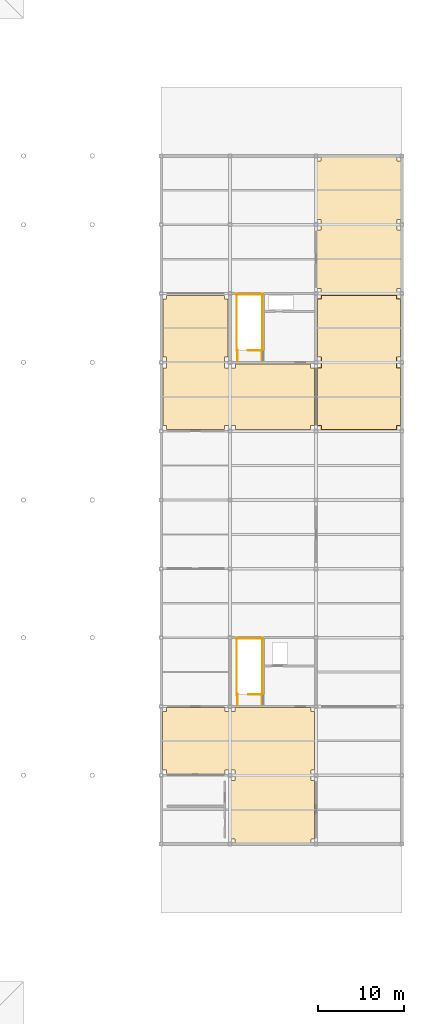
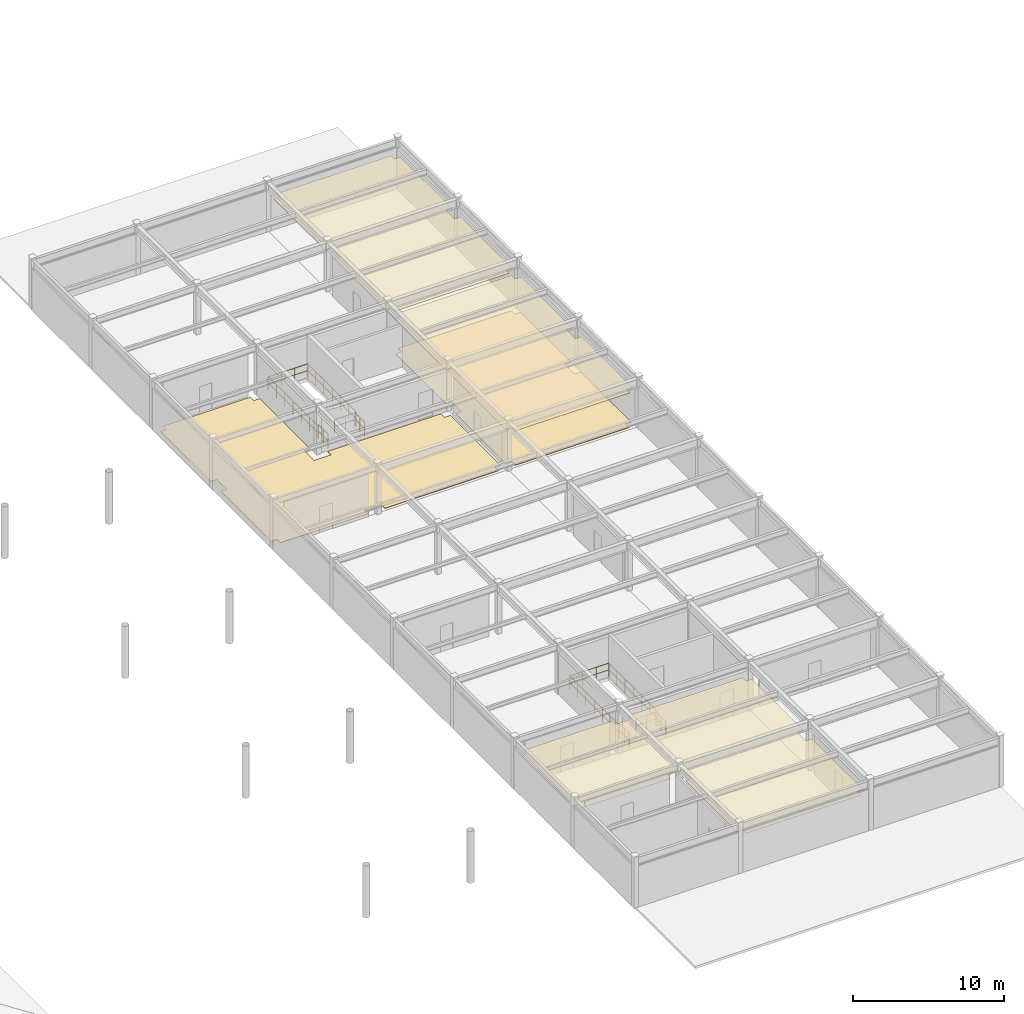
# One storey, part 77 of 78: 12 railings, 5 coverings.
"""IFC4 building model written with IfcOpenShell, lengths in metres."""

from ifc_helpers import new_model, si_unit, direction, frame, origin, origin_2d, place, context, subcontext, project, spatial, polyline, circle, outline, extrude, material, layer, layer_set, type_object, element, save


model = new_model("IFC4")

# Units and contexts
model_context = context("Model", 3, precision=1e-05, world=origin(), true_north=direction((0.0, 1.0)))
body_context = subcontext(model_context, "Body", "Model", "MODEL_VIEW")
ifc_project = project(units=[si_unit("LENGTHUNIT", "METRE"), si_unit("AREAUNIT", "SQUARE_METRE"), si_unit("VOLUMEUNIT", "CUBIC_METRE"), si_unit("PLANEANGLEUNIT", "RADIAN"), si_unit("MASSUNIT", "GRAM", prefix="KILO")], contexts=[model_context])

# Site, building, storey
site_placement = place(None, origin())
site = spatial("IfcSite", under=ifc_project, at=site_placement, CompositionType="ELEMENT")
building_placement = place(site_placement, origin())
building = spatial("IfcBuilding", under=site, at=building_placement, Name="Haebicheon Civic Stadium", CompositionType="ELEMENT")
storey_placement = place(building_placement, frame((0.0, 0.0, 18.60009765625)))
storey = spatial("IfcBuildingStorey", under=building, at=storey_placement, Name="L05", CompositionType="ELEMENT", Elevation=18.60009765625)

# Coverings
ifc_material_1 = material(Name="Perforated mineral-fibre acoustic board", Category="gypsum")
ifc_layer_1 = layer(ifc_material_1, 0.0400390625, Name="Perforated mineral-fibre acoustic board")
ifc_layer_set_1 = layer_set([ifc_layer_1], Name="Perforated mineral-fibre acoustic board")
covering_type_1 = type_object("IfcCoveringType", Name="COV-CLG-AC", PredefinedType="CEILING", material=ifc_layer_set_1)
covering_1_placement = place(storey_placement, frame((0.0, 0.0, 2.809814453125)))
element("IfcCovering", 1, at=covering_1_placement, inside=storey, type_object=covering_type_1, material=ifc_layer_set_1, Name="L05 Community Stand Press Gallery acoustic ceiling", PredefinedType="CEILING", context=body_context, shape_type="SweptSolid", body=[
    extrude(outline(polyline([(216.594970703125, 48.14501953125), (216.594970703125, 48.594970703125), (216.14501953125, 48.594970703125), (216.14501953125, 55.405029296875), (216.594970703125, 55.405029296875), (216.594970703125, 56.594970703125), (215.405029296875, 56.594970703125), (215.405029296875, 56.14501953125), (208.594970703125, 56.14501953125), (208.594970703125, 56.594970703125), (208.14501953125, 56.594970703125), (208.14501953125, 63.405029296875), (208.594970703125, 63.405029296875), (208.594970703125, 63.85498046875), (215.405029296875, 63.85498046875), (215.405029296875, 63.405029296875), (216.594970703125, 63.405029296875), (216.594970703125, 63.85498046875), (225.405029296875, 63.85498046875), (225.405029296875, 63.405029296875), (225.85498046875, 63.405029296875), (225.85498046875, 56.594970703125), (225.405029296875, 56.594970703125), (225.405029296875, 55.405029296875), (225.85498046875, 55.405029296875), (225.85498046875, 48.594970703125), (225.405029296875, 48.594970703125), (225.405029296875, 48.14501953125), (216.594970703125, 48.14501953125)])), origin(), (0.0, 0.0, 1.0), 0.0400390625),
])
covering_2_placement = place(storey_placement, frame((0.0, 0.0, 2.809814453125)))
element("IfcCovering", 2, at=covering_2_placement, inside=storey, type_object=covering_type_1, material=ifc_layer_set_1, Name="L05 Timekeeping Announcer Booth acoustic ceiling", PredefinedType="CEILING", context=body_context, shape_type="SweptSolid", body=[
    extrude(outline(polyline([(226.594970703125, 96.14501953125), (226.594970703125, 96.594970703125), (226.14501953125, 96.594970703125), (226.14501953125, 103.405029296875), (226.594970703125, 103.405029296875), (226.594970703125, 104.594970703125), (226.14501953125, 104.594970703125), (226.14501953125, 111.405029296875), (226.594970703125, 111.405029296875), (226.594970703125, 111.85498046875), (235.405029296875, 111.85498046875), (235.405029296875, 111.405029296875), (235.85498046875, 111.405029296875), (235.85498046875, 104.594970703125), (235.405029296875, 104.594970703125), (235.405029296875, 103.405029296875), (235.85498046875, 103.405029296875), (235.85498046875, 96.594970703125), (235.405029296875, 96.594970703125), (235.405029296875, 96.14501953125), (226.594970703125, 96.14501953125)])), origin(), (0.0, 0.0, 1.0), 0.0400390625),
])
covering_3_placement = place(storey_placement, frame((0.0, 0.0, 2.809814453125)))
element("IfcCovering", 3, at=covering_3_placement, inside=storey, type_object=covering_type_1, material=ifc_layer_set_1, Name="L05 Community Stand Press Gallery acoustic ceiling", PredefinedType="CEILING", context=body_context, shape_type="SweptSolid", body=[
    extrude(outline(polyline([(226.594970703125, 112.14501953125), (226.594970703125, 112.594970703125), (226.14501953125, 112.594970703125), (226.14501953125, 119.405029296875), (226.594970703125, 119.405029296875), (226.594970703125, 120.594970703125), (226.14501953125, 120.594970703125), (226.14501953125, 127.405029296875), (226.594970703125, 127.405029296875), (226.594970703125, 127.85498046875), (235.405029296875, 127.85498046875), (235.405029296875, 127.405029296875), (235.85498046875, 127.405029296875), (235.85498046875, 120.594970703125), (235.405029296875, 120.594970703125), (235.405029296875, 119.405029296875), (235.85498046875, 119.405029296875), (235.85498046875, 112.594970703125), (235.405029296875, 112.594970703125), (235.405029296875, 112.14501953125), (226.594970703125, 112.14501953125)])), origin(), (0.0, 0.0, 1.0), 0.0400390625),
])
ifc_material_2 = material(Name="Quartz epoxy resin mortar", Category="concrete")
ifc_layer_2 = layer(ifc_material_2, 0.030029296875, Name="Quartz epoxy resin mortar")
ifc_layer_set_2 = layer_set([ifc_layer_2], Name="Quartz epoxy resin mortar")
covering_type_2 = type_object("IfcCoveringType", Name="COV-FLR-EPX", PredefinedType="FLOORING", material=ifc_layer_set_2)
covering_4_placement = place(storey_placement, origin())
element("IfcCovering", 4, at=covering_4_placement, inside=storey, type_object=covering_type_2, material=ifc_layer_set_2, Name="L05 Community Stand Press Gallery non-slip floor finish", PredefinedType="FLOORING", context=body_context, shape_type="SweptSolid", body=[
    extrude(outline(polyline([(208.199951171875, 103.35009765625), (208.64990234375, 103.35009765625), (208.64990234375, 104.64990234375), (208.199951171875, 104.64990234375), (208.199951171875, 111.35009765625), (208.64990234375, 111.35009765625), (208.64990234375, 111.800048828125), (215.35009765625, 111.800048828125), (215.35009765625, 111.35009765625), (215.800048828125, 111.35009765625), (215.800048828125, 104.64990234375), (215.35009765625, 104.64990234375), (215.35009765625, 103.35009765625), (216.64990234375, 103.35009765625), (216.64990234375, 103.800048828125), (225.35009765625, 103.800048828125), (225.35009765625, 103.35009765625), (225.800048828125, 103.35009765625), (225.800048828125, 96.64990234375), (225.35009765625, 96.64990234375), (225.35009765625, 96.199951171875), (216.64990234375, 96.199951171875), (216.64990234375, 96.64990234375), (215.35009765625, 96.64990234375), (215.35009765625, 96.199951171875), (208.64990234375, 96.199951171875), (208.64990234375, 96.64990234375), (208.199951171875, 96.64990234375), (208.199951171875, 103.35009765625)])), origin(), (0.0, 0.0, 1.0), 0.02978515625),
])
covering_5_placement = place(storey_placement, origin())
element("IfcCovering", 5, at=covering_5_placement, inside=storey, type_object=covering_type_2, material=ifc_layer_set_2, Name="L05 Timekeeping Announcer Booth non-slip floor finish", PredefinedType="FLOORING", context=body_context, shape_type="SweptSolid", body=[
    extrude(outline(polyline([(226.64990234375, 96.199951171875), (226.64990234375, 96.64990234375), (226.199951171875, 96.64990234375), (226.199951171875, 103.35009765625), (226.64990234375, 103.35009765625), (226.64990234375, 104.64990234375), (226.199951171875, 104.64990234375), (226.199951171875, 111.35009765625), (226.64990234375, 111.35009765625), (226.64990234375, 111.800048828125), (235.35009765625, 111.800048828125), (235.35009765625, 111.35009765625), (235.800048828125, 111.35009765625), (235.800048828125, 104.64990234375), (235.35009765625, 104.64990234375), (235.35009765625, 103.35009765625), (235.800048828125, 103.35009765625), (235.800048828125, 96.64990234375), (235.35009765625, 96.64990234375), (235.35009765625, 96.199951171875), (226.64990234375, 96.199951171875)])), origin(), (0.0, 0.0, 1.0), 0.02978515625),
])

# Railings
ifc_material_3 = material(Name="Galvanised painted steel SM355", Category="steel")
railing_type = type_object("IfcRailingType", Name="RL-GRD-1150", PredefinedType="GUARDRAIL", material=ifc_material_3)
railing_1_placement = place(storey_placement, frame((219.739990234375, 65.39990234375, 0.0)))
element("IfcRailing", 6, at=railing_1_placement, inside=storey, type_object=railing_type, material=ifc_material_3, Name="L05 ST-12 top well guard 1", PredefinedType="GUARDRAIL", context=body_context, shape_type="SweptSolid", body=[
    extrude(circle(Radius=0.02392578125, at=origin_2d()), frame((0.0, 0.0, 1.1259765625), z_axis=(-1.0, 0.0, 0.0), x_axis=(0.0, -1.0, 0.0)), (0.0, 0.0, 1.0), 1.619873046875),
    extrude(circle(Radius=0.02392578125, at=origin_2d()), frame((0.0, 0.0, 0.574951171875), z_axis=(-1.0, 0.0, 0.0), x_axis=(0.0, -1.0, 0.0)), (0.0, 0.0, 1.0), 1.619873046875),
    extrude(circle(Radius=0.02099609375, at=origin_2d()), origin(), (0.0, 0.0, 1.0), 1.101806640625),
    extrude(circle(Radius=0.02099609375, at=origin_2d()), frame((-0.81005859375, 0.0, 0.0)), (0.0, 0.0, 1.0), 1.101806640625),
    extrude(circle(Radius=0.02099609375, at=origin_2d()), frame((-1.619873046875, 0.0, 0.0)), (0.0, 0.0, 1.0), 1.101806640625),
])
for number, where, name in (
    (7, (219.7900390625, 65.35009765625, 0.0), "L05 ST-12 top well guard 2"),
    (8, (216.7900390625, 65.35009765625, 0.0), "L05 ST-12 top well guard 3"),
):
    element("IfcRailing", number, at=place(storey_placement, frame(where)), inside=storey, type_object=railing_type, material=ifc_material_3, Name=name, PredefinedType="GUARDRAIL", context=body_context, shape_type="SweptSolid", body=[
        extrude(circle(Radius=0.02392578125, at=origin_2d()), frame((0.0, 0.0, 1.1259765625), z_axis=(0.0, 1.0, 0.0), x_axis=(-1.0, 0.0, 0.0)), (0.0, 0.0, 1.0), 6.58984375),
        extrude(circle(Radius=0.02392578125, at=origin_2d()), frame((0.0, 0.0, 0.574951171875), z_axis=(0.0, 1.0, 0.0), x_axis=(-1.0, 0.0, 0.0)), (0.0, 0.0, 1.0), 6.58984375),
        extrude(circle(Radius=0.02099609375, at=origin_2d()), origin(), (0.0, 0.0, 1.0), 1.101806640625),
        extrude(circle(Radius=0.02099609375, at=origin_2d()), frame((0.0, 1.098388671875, 0.0)), (0.0, 0.0, 1.0), 1.101806640625),
        extrude(circle(Radius=0.02099609375, at=origin_2d()), frame((0.0, 2.196533203125, 0.0)), (0.0, 0.0, 1.0), 1.101806640625),
        extrude(circle(Radius=0.02099609375, at=origin_2d()), frame((0.0, 3.294921875, 0.0)), (0.0, 0.0, 1.0), 1.101806640625),
        extrude(circle(Radius=0.02099609375, at=origin_2d()), frame((0.0, 4.393310546875, 0.0)), (0.0, 0.0, 1.0), 1.101806640625),
        extrude(circle(Radius=0.02099609375, at=origin_2d()), frame((0.0, 5.491455078125, 0.0)), (0.0, 0.0, 1.0), 1.101806640625),
        extrude(circle(Radius=0.02099609375, at=origin_2d()), frame((0.0, 6.58984375, 0.0)), (0.0, 0.0, 1.0), 1.101806640625),
    ])
railing_2_placement = place(storey_placement, frame((219.840087890625, 71.889892578125, 0.0)))
element("IfcRailing", 9, at=railing_2_placement, inside=storey, type_object=railing_type, material=ifc_material_3, Name="L05 ST-12 top well guard 4", PredefinedType="GUARDRAIL", context=body_context, shape_type="SweptSolid", body=[
    extrude(circle(Radius=0.02392578125, at=origin_2d()), frame((0.0, 0.0, 1.1259765625), z_axis=(-1.0, 0.0, 0.0), x_axis=(0.0, -1.0, 0.0)), (0.0, 0.0, 1.0), 3.10009765625),
    extrude(circle(Radius=0.02392578125, at=origin_2d()), frame((0.0, 0.0, 0.574951171875), z_axis=(-1.0, 0.0, 0.0), x_axis=(0.0, -1.0, 0.0)), (0.0, 0.0, 1.0), 3.10009765625),
    extrude(circle(Radius=0.02099609375, at=origin_2d()), origin(), (0.0, 0.0, 1.0), 1.101806640625),
    extrude(circle(Radius=0.02099609375, at=origin_2d()), frame((-1.033447265625, 0.0, 0.0)), (0.0, 0.0, 1.0), 1.101806640625),
    extrude(circle(Radius=0.02099609375, at=origin_2d()), frame((-2.066650390625, 0.0, 0.0)), (0.0, 0.0, 1.0), 1.101806640625),
    extrude(circle(Radius=0.02099609375, at=origin_2d()), frame((-3.10009765625, 0.0, 0.0)), (0.0, 0.0, 1.0), 1.101806640625),
])
for number, where, name in (
    (10, (219.68994140625, 64.159912109375, 0.0), "L05 ST-12 top well guard 5"),
    (11, (216.889892578125, 64.159912109375, 0.0), "L05 ST-12 top well guard 6"),
):
    element("IfcRailing", number, at=place(storey_placement, frame(where)), inside=storey, type_object=railing_type, material=ifc_material_3, Name=name, PredefinedType="GUARDRAIL", context=body_context, shape_type="SweptSolid", body=[
        extrude(circle(Radius=0.02392578125, at=origin_2d()), frame((0.0, 0.0, 1.1259765625), z_axis=(0.0, 1.0, 0.0), x_axis=(-1.0, 0.0, 0.0)), (0.0, 0.0, 1.0), 1.2900390625),
        extrude(circle(Radius=0.02392578125, at=origin_2d()), frame((0.0, 0.0, 0.574951171875), z_axis=(0.0, 1.0, 0.0), x_axis=(-1.0, 0.0, 0.0)), (0.0, 0.0, 1.0), 1.2900390625),
        extrude(circle(Radius=0.02099609375, at=origin_2d()), origin(), (0.0, 0.0, 1.0), 1.101806640625),
        extrude(circle(Radius=0.02099609375, at=origin_2d()), frame((0.0, 0.64501953125, 0.0)), (0.0, 0.0, 1.0), 1.101806640625),
        extrude(circle(Radius=0.02099609375, at=origin_2d()), frame((0.0, 1.2900390625, 0.0)), (0.0, 0.0, 1.0), 1.101806640625),
    ])
railing_3_placement = place(storey_placement, frame((219.739990234375, 105.39990234375, 0.0)))
element("IfcRailing", 12, at=railing_3_placement, inside=storey, type_object=railing_type, material=ifc_material_3, Name="L05 ST-13 top well guard 1", PredefinedType="GUARDRAIL", context=body_context, shape_type="SweptSolid", body=[
    extrude(circle(Radius=0.02392578125, at=origin_2d()), frame((0.0, 0.0, 1.1259765625), z_axis=(-1.0, 0.0, 0.0), x_axis=(0.0, -1.0, 0.0)), (0.0, 0.0, 1.0), 1.639892578125),
    extrude(circle(Radius=0.02392578125, at=origin_2d()), frame((0.0, 0.0, 0.574951171875), z_axis=(-1.0, 0.0, 0.0), x_axis=(0.0, -1.0, 0.0)), (0.0, 0.0, 1.0), 1.639892578125),
    extrude(circle(Radius=0.02099609375, at=origin_2d()), origin(), (0.0, 0.0, 1.0), 1.101806640625),
    extrude(circle(Radius=0.02099609375, at=origin_2d()), frame((-0.81982421875, 0.0, 0.0)), (0.0, 0.0, 1.0), 1.101806640625),
    extrude(circle(Radius=0.02099609375, at=origin_2d()), frame((-1.639892578125, 0.0, 0.0)), (0.0, 0.0, 1.0), 1.101806640625),
])
for number, where, name in (
    (13, (219.7900390625, 105.35009765625, 0.0), "L05 ST-13 top well guard 2"),
    (14, (216.7900390625, 105.35009765625, 0.0), "L05 ST-13 top well guard 3"),
):
    element("IfcRailing", number, at=place(storey_placement, frame(where)), inside=storey, type_object=railing_type, material=ifc_material_3, Name=name, PredefinedType="GUARDRAIL", context=body_context, shape_type="SweptSolid", body=[
        extrude(circle(Radius=0.02392578125, at=origin_2d()), frame((0.0, 0.0, 1.1259765625), z_axis=(0.0, 1.0, 0.0), x_axis=(-1.0, 0.0, 0.0)), (0.0, 0.0, 1.0), 6.58984375),
        extrude(circle(Radius=0.02392578125, at=origin_2d()), frame((0.0, 0.0, 0.574951171875), z_axis=(0.0, 1.0, 0.0), x_axis=(-1.0, 0.0, 0.0)), (0.0, 0.0, 1.0), 6.58984375),
        extrude(circle(Radius=0.02099609375, at=origin_2d()), origin(), (0.0, 0.0, 1.0), 1.101806640625),
        extrude(circle(Radius=0.02099609375, at=origin_2d()), frame((0.0, 1.098388671875, 0.0)), (0.0, 0.0, 1.0), 1.101806640625),
        extrude(circle(Radius=0.02099609375, at=origin_2d()), frame((0.0, 2.196533203125, 0.0)), (0.0, 0.0, 1.0), 1.101806640625),
        extrude(circle(Radius=0.02099609375, at=origin_2d()), frame((0.0, 3.294921875, 0.0)), (0.0, 0.0, 1.0), 1.101806640625),
        extrude(circle(Radius=0.02099609375, at=origin_2d()), frame((0.0, 4.393310546875, 0.0)), (0.0, 0.0, 1.0), 1.101806640625),
        extrude(circle(Radius=0.02099609375, at=origin_2d()), frame((0.0, 5.491455078125, 0.0)), (0.0, 0.0, 1.0), 1.101806640625),
        extrude(circle(Radius=0.02099609375, at=origin_2d()), frame((0.0, 6.58984375, 0.0)), (0.0, 0.0, 1.0), 1.101806640625),
    ])
railing_4_placement = place(storey_placement, frame((219.840087890625, 111.889892578125, 0.0)))
element("IfcRailing", 15, at=railing_4_placement, inside=storey, type_object=railing_type, material=ifc_material_3, Name="L05 ST-13 top well guard 4", PredefinedType="GUARDRAIL", context=body_context, shape_type="SweptSolid", body=[
    extrude(circle(Radius=0.02392578125, at=origin_2d()), frame((0.0, 0.0, 1.1259765625), z_axis=(-1.0, 0.0, 0.0), x_axis=(0.0, -1.0, 0.0)), (0.0, 0.0, 1.0), 3.10009765625),
    extrude(circle(Radius=0.02392578125, at=origin_2d()), frame((0.0, 0.0, 0.574951171875), z_axis=(-1.0, 0.0, 0.0), x_axis=(0.0, -1.0, 0.0)), (0.0, 0.0, 1.0), 3.10009765625),
    extrude(circle(Radius=0.02099609375, at=origin_2d()), origin(), (0.0, 0.0, 1.0), 1.101806640625),
    extrude(circle(Radius=0.02099609375, at=origin_2d()), frame((-1.033447265625, 0.0, 0.0)), (0.0, 0.0, 1.0), 1.101806640625),
    extrude(circle(Radius=0.02099609375, at=origin_2d()), frame((-2.066650390625, 0.0, 0.0)), (0.0, 0.0, 1.0), 1.101806640625),
    extrude(circle(Radius=0.02099609375, at=origin_2d()), frame((-3.10009765625, 0.0, 0.0)), (0.0, 0.0, 1.0), 1.101806640625),
])
for number, where, name in (
    (16, (219.68994140625, 104.159912109375, 0.0), "L05 ST-13 top well guard 5"),
    (17, (216.889892578125, 104.159912109375, 0.0), "L05 ST-13 top well guard 6"),
):
    element("IfcRailing", number, at=place(storey_placement, frame(where)), inside=storey, type_object=railing_type, material=ifc_material_3, Name=name, PredefinedType="GUARDRAIL", context=body_context, shape_type="SweptSolid", body=[
        extrude(circle(Radius=0.02392578125, at=origin_2d()), frame((0.0, 0.0, 1.1259765625), z_axis=(0.0, 1.0, 0.0), x_axis=(-1.0, 0.0, 0.0)), (0.0, 0.0, 1.0), 1.2900390625),
        extrude(circle(Radius=0.02392578125, at=origin_2d()), frame((0.0, 0.0, 0.574951171875), z_axis=(0.0, 1.0, 0.0), x_axis=(-1.0, 0.0, 0.0)), (0.0, 0.0, 1.0), 1.2900390625),
        extrude(circle(Radius=0.02099609375, at=origin_2d()), origin(), (0.0, 0.0, 1.0), 1.101806640625),
        extrude(circle(Radius=0.02099609375, at=origin_2d()), frame((0.0, 0.64501953125, 0.0)), (0.0, 0.0, 1.0), 1.101806640625),
        extrude(circle(Radius=0.02099609375, at=origin_2d()), frame((0.0, 1.2900390625, 0.0)), (0.0, 0.0, 1.0), 1.101806640625),
    ])

save(model, "model.ifc")
